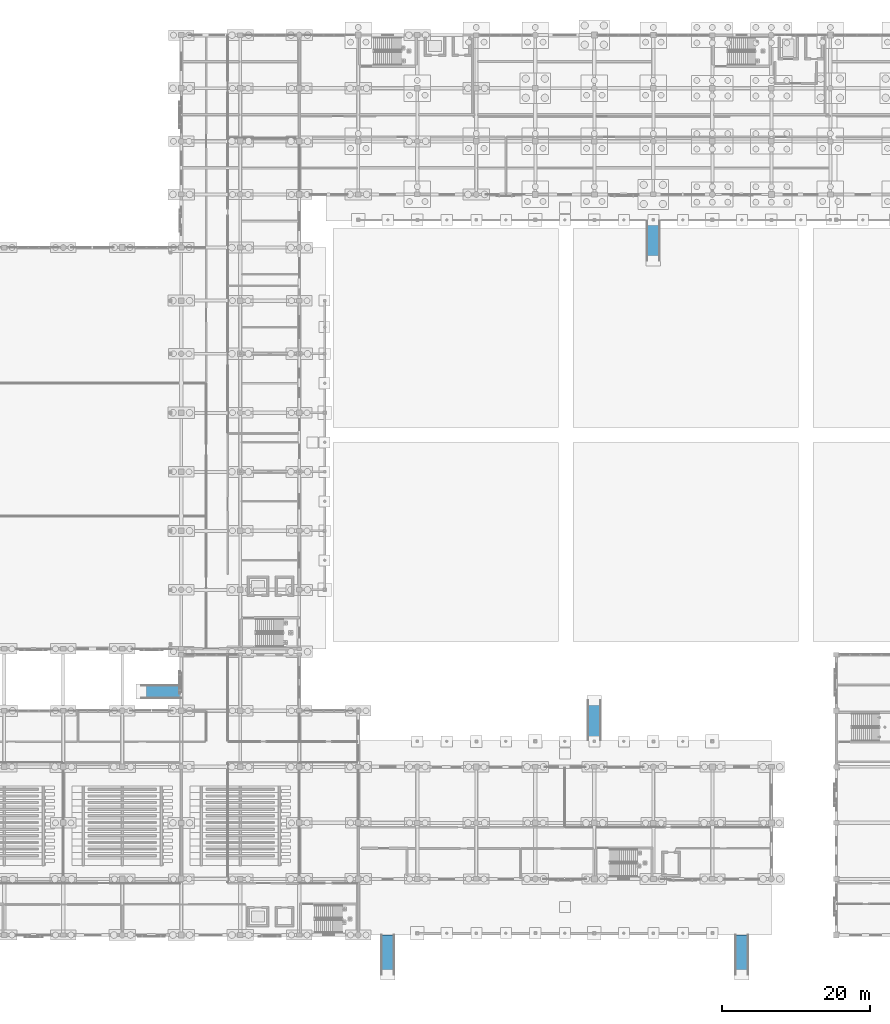
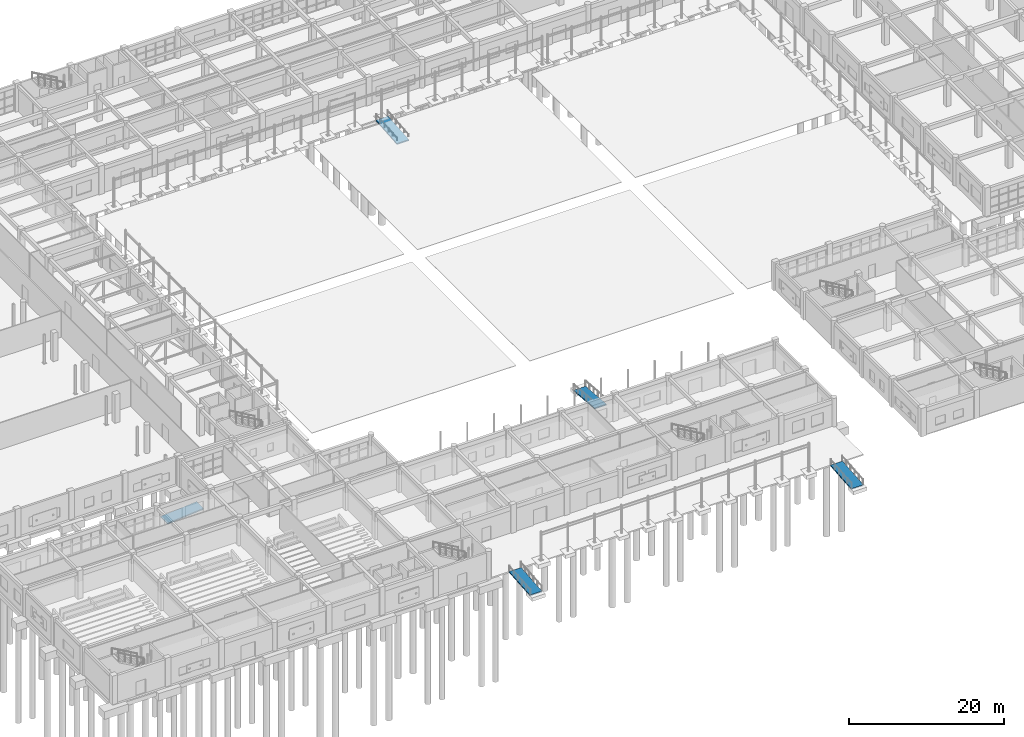
# One storey, part 143 of 166: 5 ramp flights, 5 elements without a shape of their own.
"""IFC4 building model written with IfcOpenShell, lengths in metres."""

import ifcopenshell
import ifcopenshell.guid

model = None  # the IFC model being written
_history = None  # IfcOwnerHistory: only IFC2X3 demands one
_inside = {}  # id of a spatial element -> (the spatial element, [elements in it])
_under = {}  # id of a project, library or spatial element -> (it, [spatial elements below it])
_declared = {}  # id of a project -> (the project, [libraries it declares])
_typed = {}  # id of a type object -> (the type object, [elements of that type])
_made_of = {}  # id of a material, layer set ... -> (it, [elements and type objects made of it])


def new_model(schema):
    """Start an empty IFC model of exactly this schema.

    Asked for "IFC4X3", IfcOpenShell would pick the latest addendum, in which some entities
    have other attributes; the version numbers below select the first issue.
    IFC2X3 requires an IfcOwnerHistory on every rooted entity: one is made here for all.
    """
    global model, _history
    if schema == "IFC4X3":
        model = ifcopenshell.file(schema_version=(4, 3, 0, 0))
    else:
        model = ifcopenshell.file(schema=schema)
    _inside.clear()
    _under.clear()
    _declared.clear()
    _typed.clear()
    _made_of.clear()
    _history = None
    if model.schema == "IFC2X3":
        org = make("IfcOrganization", Name="unknown")
        user = make(
            "IfcPersonAndOrganization",
            ThePerson=make("IfcPerson", FamilyName="unknown"),
            TheOrganization=org,
        )
        app = make(
            "IfcApplication",
            ApplicationDeveloper=org,
            Version="unknown",
            ApplicationFullName="unknown",
            ApplicationIdentifier="unknown",
        )
        _history = make(
            "IfcOwnerHistory",
            OwningUser=user,
            OwningApplication=app,
            ChangeAction="ADDED",
            CreationDate=0,
        )
    return model


def make(cls, **values):
    """One entity of the class cls with the attributes given. An attribute that is None is left unset."""
    return model.create_entity(
        cls, **{name: value for name, value in values.items() if value is not None}
    )


def rooted(cls, **values):
    """An entity with a GlobalId (a new one), such as an element, a storey or a relation."""
    return make(cls, GlobalId=ifcopenshell.guid.new(), OwnerHistory=_history, **values)


def si_unit(unit_type, name, prefix=None):
    """IfcSIUnit, for example si_unit("LENGTHUNIT", "METRE", prefix="MILLI")."""
    return make("IfcSIUnit", UnitType=unit_type, Prefix=prefix, Name=name)


def assignment(units):
    """IfcUnitAssignment: the units of a project."""
    return None if units is None else make("IfcUnitAssignment", Units=units)


def point(xyz):
    """IfcCartesianPoint."""
    return None if xyz is None else make("IfcCartesianPoint", Coordinates=xyz)


def direction(xyz):
    """IfcDirection."""
    return None if xyz is None else make("IfcDirection", DirectionRatios=xyz)


def frame(location, z_axis=None, x_axis=None):
    """IfcAxis2Placement3D, a coordinate frame: its origin and axes. An axis left out is left unset."""
    return make(
        "IfcAxis2Placement3D",
        Location=point(location),
        Axis=direction(z_axis),
        RefDirection=direction(x_axis),
    )


def origin():
    """The frame at (0, 0, 0) with its axes left unset."""
    return frame((0.0, 0.0, 0.0))


def place(relative_to, where):
    """IfcLocalPlacement: puts the frame where relative to a parent placement (None: the world)."""
    return make(
        "IfcLocalPlacement", PlacementRelTo=relative_to, RelativePlacement=where
    )


def context(
    kind, dimensions, precision=None, world=None, true_north=None, identifier=None
):
    """IfcGeometricRepresentationContext, for example the 3D "Model" context."""
    return make(
        "IfcGeometricRepresentationContext",
        ContextIdentifier=identifier,
        ContextType=kind,
        CoordinateSpaceDimension=dimensions,
        Precision=precision,
        WorldCoordinateSystem=world,
        TrueNorth=true_north,
    )


def subcontext(parent, identifier, kind, view, scale=None):
    """IfcGeometricRepresentationSubContext, for example "Body" below "Model"."""
    return make(
        "IfcGeometricRepresentationSubContext",
        ContextIdentifier=identifier,
        ContextType=kind,
        ParentContext=parent,
        TargetScale=scale,
        TargetView=view,
    )


def project(units=None, contexts=None):
    """IfcProject with its units and contexts."""
    return rooted(
        "IfcProject",
        Name="project",
        RepresentationContexts=contexts,
        UnitsInContext=assignment(units),
    )


def spatial(cls, under=None, at=None, **own):
    """A site, building, storey or space (cls), placed at a placement, below another one or the project."""
    s = rooted(cls, ObjectPlacement=at, **own)
    if under is not None:
        _under.setdefault(under.id(), (under, []))[1].append(s)
    return s


def polyline(points):
    """IfcPolyline through the points."""
    return make("IfcPolyline", Points=[point(p) for p in points])


def outline(outer, holes=None, kind="AREA"):
    """IfcArbitraryClosedProfileDef: a profile drawn as a closed curve; with holes, ...WithVoids."""
    if holes is None:
        return make("IfcArbitraryClosedProfileDef", ProfileType=kind, OuterCurve=outer)
    return make(
        "IfcArbitraryProfileDefWithVoids",
        ProfileType=kind,
        OuterCurve=outer,
        InnerCurves=holes,
    )


def extrude(swept, where, along, depth):
    """IfcExtrudedAreaSolid: the profile swept, set in the frame where, extruded along a direction by depth."""
    return make(
        "IfcExtrudedAreaSolid",
        SweptArea=swept,
        Position=where,
        ExtrudedDirection=direction(along),
        Depth=depth,
    )


def shape(context_of_items, identifier, shape_type, items):
    """IfcShapeRepresentation: the items that make up one representation, for example the "Body"."""
    return make(
        "IfcShapeRepresentation",
        ContextOfItems=context_of_items,
        RepresentationIdentifier=identifier,
        RepresentationType=shape_type,
        Items=items,
    )


def material(Name=None, Category=None):
    """IfcMaterial."""
    return make("IfcMaterial", Name=Name, Category=Category)


def layer(
    of_material, thickness, ventilated=None, Name=None, Category=None, Priority=None
):
    """IfcMaterialLayer: one layer of a wall or slab, of a material (None: an air gap)."""
    return make(
        "IfcMaterialLayer",
        Material=of_material,
        LayerThickness=thickness,
        IsVentilated=ventilated,
        Name=Name,
        Category=Category,
        Priority=Priority,
    )


def layer_set(layers, Name=None):
    """IfcMaterialLayerSet."""
    return make("IfcMaterialLayerSet", MaterialLayers=layers, LayerSetName=Name)


def made_of(thing, what):
    """Note that an element or type object is made of a material, layer set ...; save() writes the relation."""
    if what is not None:
        _made_of.setdefault(what.id(), (what, []))[1].append(thing)
    return thing


def type_object(cls, material=None, **own):
    """A type object (cls), such as IfcWallType, which elements share."""
    return made_of(rooted(cls, **own), material)


def element(
    cls,
    number,
    at=None,
    inside=None,
    cuts=None,
    type_object=None,
    material=None,
    context=None,
    identifier="Body",
    shape_type=None,
    held_by="IfcProductDefinitionShape",
    body=None,
    shapes=None,
    **own,
):
    """One element of the class cls, such as IfcWall. Its Tag is "e" and its number.

    at: its placement. inside: the storey or other place that contains it. cuts: it is an
    opening in that element (IfcRelVoidsElement). A single representation is given by context,
    identifier, shape_type and body (its items); several are given by shapes. held_by: the class
    of the entity that holds the representations. save() writes the other relations.
    """
    e = rooted(cls, Tag="e%d" % number, ObjectPlacement=at, **own)
    if body is not None:
        shapes = [shape(context, identifier, shape_type, body)]
    if shapes is not None:
        e.Representation = make(held_by, Representations=shapes)
    if inside is not None:
        _inside.setdefault(inside.id(), (inside, []))[1].append(e)
    if cuts is not None:
        rooted(
            "IfcRelVoidsElement", RelatingBuildingElement=cuts, RelatedOpeningElement=e
        )
    if type_object is not None:
        _typed.setdefault(type_object.id(), (type_object, []))[1].append(e)
    return made_of(e, material)


def aggregate(whole, parts):
    """IfcRelAggregates: a whole, such as a stair, and the parts it consists of."""
    return rooted("IfcRelAggregates", RelatingObject=whole, RelatedObjects=parts)


def save(model, path):
    """Write the relations noted so far, then the file.

    IfcRelAggregates (storeys below a building ...), IfcRelContainedInSpatialStructure (elements
    in a storey), IfcRelDefinesByType, IfcRelAssociatesMaterial and IfcRelDeclares: one each for
    every whole, place, type object, material and project.
    """
    for whole, parts in _under.values():
        aggregate(whole, parts)
    for where, things in _inside.values():
        rooted(
            "IfcRelContainedInSpatialStructure",
            RelatedElements=things,
            RelatingStructure=where,
        )
    for kind, things in _typed.values():
        rooted("IfcRelDefinesByType", RelatedObjects=things, RelatingType=kind)
    for what, things in _made_of.values():
        rooted("IfcRelAssociatesMaterial", RelatedObjects=things, RelatingMaterial=what)
    for by, libraries in _declared.values():
        rooted("IfcRelDeclares", RelatingContext=by, RelatedDefinitions=libraries)
    model.write(path)


model = new_model("IFC4")

# Units and contexts
model_context = context("Model", 3, precision=1e-05, world=origin(), true_north=direction((0.0, 1.0)))
body_context = subcontext(model_context, "Body", "Model", "MODEL_VIEW")
ifc_project = project(units=[si_unit("LENGTHUNIT", "METRE"), si_unit("AREAUNIT", "SQUARE_METRE"), si_unit("VOLUMEUNIT", "CUBIC_METRE"), si_unit("PLANEANGLEUNIT", "RADIAN"), si_unit("MASSUNIT", "GRAM", prefix="KILO")], contexts=[model_context])

# Site, building, storey
site_placement = place(None, origin())
site = spatial("IfcSite", under=ifc_project, at=site_placement, CompositionType="ELEMENT")
building_placement = place(site_placement, origin())
building = spatial("IfcBuilding", under=site, at=building_placement, Name="Kharva Crest Polytechnic", CompositionType="ELEMENT")
storey_placement = place(building_placement, origin())
storey = spatial("IfcBuildingStorey", under=building, at=storey_placement, Name="L00", CompositionType="ELEMENT", Elevation=0.0)

# Ramp, ramp flight
ifc_material = material(Name="Concrete C35/45", Category="concrete")
ramp_type = type_object("IfcRampType", Name="RMP-ACC-1800", PredefinedType="STRAIGHT_RUN_RAMP", material=ifc_material)
ramp_1_placement = place(storey_placement, origin())
ramp_1 = element("IfcRamp", 1, at=ramp_1_placement, inside=storey, type_object=ramp_type, Name="South Street West Accessible Ramp", PredefinedType="STRAIGHT_RUN_RAMP")
ifc_layer = layer(ifc_material, 0.179931640625, Name="Concrete C35/45")
ifc_layer_set = layer_set([ifc_layer], Name="Concrete C35/45")
ramp_flight_type = type_object("IfcRampFlightType", Name="RMF-ACC-1800", PredefinedType="STRAIGHT", material=ifc_layer_set)
ramp_flight_1_placement = place(storey_placement, frame((60.0, -5.39990234375, -0.449951171875), z_axis=(0.0, 0.0, 1.0), x_axis=(0.0, 1.0, 0.0)))
ramp_flight_1 = element("IfcRampFlight", 2, at=ramp_flight_1_placement, type_object=ramp_flight_type, Name="South Street West Accessible Ramp Flight", PredefinedType="STRAIGHT", context=body_context, shape_type="SweptSolid", body=[
    extrude(outline(polyline([(0.0, 0.0), (5.39990234375, 0.449951171875), (5.39990234375, 0.26953125), (0.0, -0.1806640625), (0.0, 0.0)])), frame((0.0, 0.89990234375, 0.0), z_axis=(0.0, -1.0, 0.0), x_axis=(1.0, 0.0, 0.0)), (0.0, 0.0, 1.0), 1.800048828125),
])
aggregate(ramp_1, [ramp_flight_1])

ramp_2_placement = place(storey_placement, origin())
ramp_2 = element("IfcRamp", 3, at=ramp_2_placement, inside=storey, type_object=ramp_type, Name="South Street East Accessible Ramp", PredefinedType="STRAIGHT_RUN_RAMP")
ramp_flight_2_placement = place(storey_placement, frame((108.0, -5.39990234375, -0.449951171875), z_axis=(0.0, 0.0, 1.0), x_axis=(0.0, 1.0, 0.0)))
ramp_flight_2 = element("IfcRampFlight", 4, at=ramp_flight_2_placement, type_object=ramp_flight_type, Name="South Street East Accessible Ramp Flight", PredefinedType="STRAIGHT", context=body_context, shape_type="SweptSolid", body=[
    extrude(outline(polyline([(0.0, 0.0), (5.39990234375, 0.449951171875), (5.39990234375, 0.26953125), (0.0, -0.1806640625), (0.0, 0.0)])), frame((0.0, 0.89990234375, 0.0), z_axis=(0.0, -1.0, 0.0), x_axis=(1.0, 0.0, 0.0)), (0.0, 0.0, 1.0), 1.800048828125),
])
aggregate(ramp_2, [ramp_flight_2])

ramp_3_placement = place(storey_placement, origin())
ramp_3 = element("IfcRamp", 5, at=ramp_3_placement, inside=storey, type_object=ramp_type, Name="West Forecourt Accessible Ramp", PredefinedType="STRAIGHT_RUN_RAMP")
ramp_flight_3_placement = place(storey_placement, frame((26.60009765625, 33.0, -0.449951171875), z_axis=(0.0, 0.0, 1.0), x_axis=(1.0, 0.0, 0.0)))
ramp_flight_3 = element("IfcRampFlight", 6, at=ramp_flight_3_placement, type_object=ramp_flight_type, Name="West Forecourt Accessible Ramp Flight", PredefinedType="STRAIGHT", context=body_context, shape_type="SweptSolid", body=[
    extrude(outline(polyline([(0.0, 0.0), (5.39990234375, 0.449951171875), (5.39990234375, 0.26953125), (0.0, -0.1806640625), (0.0, 0.0)])), frame((0.0, 0.89990234375, 0.0), z_axis=(0.0, -1.0, 0.0), x_axis=(1.0, 0.0, 0.0)), (0.0, 0.0, 1.0), 1.800048828125),
])
aggregate(ramp_3, [ramp_flight_3])

ramp_4_placement = place(storey_placement, origin())
ramp_4 = element("IfcRamp", 7, at=ramp_4_placement, inside=storey, type_object=ramp_type, Name="Courtyard North Veranda Accessible Ramp", PredefinedType="STRAIGHT_RUN_RAMP")
ramp_flight_4_placement = place(storey_placement, frame((96.0, 91.39990234375, -0.449951171875), z_axis=(0.0, 0.0, 1.0), x_axis=(0.0, 1.0, 0.0)))
ramp_flight_4 = element("IfcRampFlight", 8, at=ramp_flight_4_placement, type_object=ramp_flight_type, Name="Courtyard North Veranda Accessible Ramp Flight", PredefinedType="STRAIGHT", context=body_context, shape_type="SweptSolid", body=[
    extrude(outline(polyline([(0.0, 0.0), (5.39990234375, 0.449951171875), (5.39990234375, 0.26953125), (0.0, -0.1806640625), (0.0, 0.0)])), frame((0.0, 0.89990234375, 0.0), z_axis=(0.0, -1.0, 0.0), x_axis=(1.0, 0.0, 0.0)), (0.0, 0.0, 1.0), 1.800048828125),
])
aggregate(ramp_4, [ramp_flight_4])

ramp_5_placement = place(storey_placement, origin())
ramp_5 = element("IfcRamp", 9, at=ramp_5_placement, inside=storey, type_object=ramp_type, Name="Courtyard South Veranda Accessible Ramp", PredefinedType="STRAIGHT_RUN_RAMP")
ramp_flight_5_placement = place(storey_placement, frame((88.0, 31.800048828125, -0.449951171875), z_axis=(0.0, 0.0, 1.0), x_axis=(0.0, -1.0, 0.0)))
ramp_flight_5 = element("IfcRampFlight", 10, at=ramp_flight_5_placement, type_object=ramp_flight_type, Name="Courtyard South Veranda Accessible Ramp Flight", PredefinedType="STRAIGHT", context=body_context, shape_type="SweptSolid", body=[
    extrude(outline(polyline([(0.0, 0.0), (5.39990234375, 0.449951171875), (5.39990234375, 0.26953125), (0.0, -0.1806640625), (0.0, 0.0)])), frame((0.0, 0.89990234375, 0.0), z_axis=(0.0, -1.0, 0.0), x_axis=(1.0, 0.0, 0.0)), (0.0, 0.0, 1.0), 1.800048828125),
])
aggregate(ramp_5, [ramp_flight_5])

save(model, "model.ifc")
